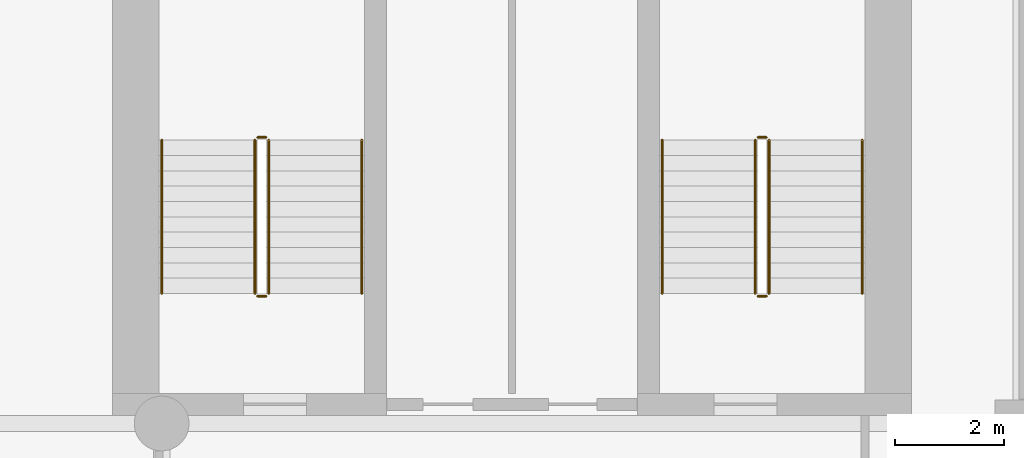
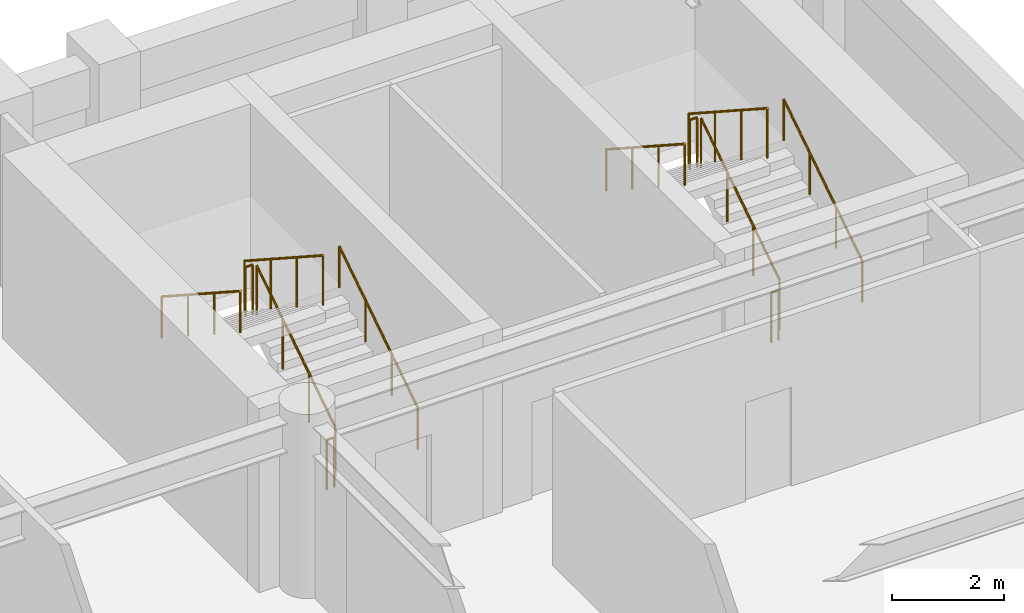
# One storey, part 8 of 8: 12 railings.
"""IFC4 building model written with IfcOpenShell, lengths in metres."""

from ifc_helpers import new_model, si_unit, direction, frame, origin, origin_2d, place, context, subcontext, project, spatial, circle, extrude, material, type_object, element, save


model = new_model("IFC4")

# Units and contexts
model_context = context("Model", 3, precision=1e-05, world=origin(), true_north=direction((0.0, 1.0)))
body_context = subcontext(model_context, "Body", "Model", "MODEL_VIEW")
ifc_project = project(units=[si_unit("LENGTHUNIT", "METRE"), si_unit("AREAUNIT", "SQUARE_METRE"), si_unit("VOLUMEUNIT", "CUBIC_METRE"), si_unit("PLANEANGLEUNIT", "RADIAN"), si_unit("MASSUNIT", "GRAM", prefix="KILO")], contexts=[model_context])

# Site, building, storey
site_placement = place(None, origin())
site = spatial("IfcSite", under=ifc_project, at=site_placement, CompositionType="ELEMENT")
building_placement = place(site_placement, origin())
building = spatial("IfcBuilding", under=site, at=building_placement, Name="Sulina Concourse Tower", CompositionType="ELEMENT")
storey_placement = place(building_placement, frame((0.0, 0.0, 148.60009765625)))
storey = spatial("IfcBuildingStorey", under=building, at=storey_placement, Name="L36", CompositionType="ELEMENT", Elevation=148.60009765625)

# Railings
ifc_material_1 = material(Name="Galvanised steel railing", Category="steel")
railing_type_1 = type_object("IfcRailingType", Name="Core Stair Steel Guardrail 1150mm", PredefinedType="GUARDRAIL", material=ifc_material_1)
railing_1_placement = place(storey_placement, frame((43.554931640625, 36.375, 0.181640625)))
element("IfcRailing", 1, at=railing_1_placement, inside=storey, type_object=railing_type_1, Name="L36 ST-3 stair guard 1", PredefinedType="GUARDRAIL", context=body_context, shape_type="SweptSolid", body=[
    extrude(circle(Radius=0.02392578125, at=origin_2d()), frame((0.0, 0.0, 1.076171875), z_axis=(0.0, 0.838672427954, 0.544636170843), x_axis=(-1.0, 0.0, 0.0)), (0.0, 0.0, 1.0), 3.338623046875),
    extrude(circle(Radius=0.02099609375, at=origin_2d()), origin(), (0.0, 0.0, 1.0), 1.052001953125),
    extrude(circle(Radius=0.02099609375, at=origin_2d()), frame((0.0, 0.933349609375, 0.606201171875)), (0.0, 0.0, 1.0), 1.052001953125),
    extrude(circle(Radius=0.02099609375, at=origin_2d()), frame((0.0, 1.86669921875, 1.212158203125)), (0.0, 0.0, 1.0), 1.052001953125),
    extrude(circle(Radius=0.02099609375, at=origin_2d()), frame((0.0, 2.800048828125, 1.818359375)), (0.0, 0.0, 1.0), 1.052001953125),
])
railing_2_placement = place(storey_placement, frame((43.5048828125, 39.22509765625, 2.0)))
element("IfcRailing", 2, at=railing_2_placement, inside=storey, type_object=railing_type_1, Name="L36 ST-3 stair guard 2", PredefinedType="GUARDRAIL", context=body_context, shape_type="SweptSolid", body=[
    extrude(circle(Radius=0.02392578125, at=origin_2d()), frame((0.0, 0.0, 1.076171875), z_axis=(-1.0, 0.0, 0.0), x_axis=(0.0, -1.0, 0.0)), (0.0, 0.0, 1.0), 0.14990234375),
    extrude(circle(Radius=0.02099609375, at=origin_2d()), origin(), (0.0, 0.0, 1.0), 1.052001953125),
    extrude(circle(Radius=0.02099609375, at=origin_2d()), frame((-0.14990234375, 0.0, 0.0)), (0.0, 0.0, 1.0), 1.052001953125),
])
railing_3_placement = place(storey_placement, frame((43.304931640625, 39.175048828125, 2.181640625)))
element("IfcRailing", 3, at=railing_3_placement, inside=storey, type_object=railing_type_1, Name="L36 ST-3 stair guard 3", PredefinedType="GUARDRAIL", context=body_context, shape_type="SweptSolid", body=[
    extrude(circle(Radius=0.02392578125, at=origin_2d()), frame((0.0, 0.0, 1.076171875), z_axis=(0.0, -0.838672427954, 0.544636170843), x_axis=(1.0, 0.0, 0.0)), (0.0, 0.0, 1.0), 3.338623046875),
    extrude(circle(Radius=0.02099609375, at=origin_2d()), origin(), (0.0, 0.0, 1.0), 1.052001953125),
    extrude(circle(Radius=0.02099609375, at=origin_2d()), frame((0.0, -0.933349609375, 0.606201171875)), (0.0, 0.0, 1.0), 1.052001953125),
    extrude(circle(Radius=0.02099609375, at=origin_2d()), frame((0.0, -1.86669921875, 1.212158203125)), (0.0, 0.0, 1.0), 1.052001953125),
    extrude(circle(Radius=0.02099609375, at=origin_2d()), frame((0.0, -2.800048828125, 1.818359375)), (0.0, 0.0, 1.0), 1.052001953125),
])
railing_4_placement = place(storey_placement, frame((43.5048828125, 36.324951171875, 0.0)))
element("IfcRailing", 4, at=railing_4_placement, inside=storey, type_object=railing_type_1, Name="L36 ST-3 stair guard 4", PredefinedType="GUARDRAIL", context=body_context, shape_type="SweptSolid", body=[
    extrude(circle(Radius=0.02392578125, at=origin_2d()), frame((0.0, 0.0, 1.076171875), z_axis=(-1.0, 0.0, 0.0), x_axis=(0.0, -1.0, 0.0)), (0.0, 0.0, 1.0), 0.14990234375),
    extrude(circle(Radius=0.02099609375, at=origin_2d()), origin(), (0.0, 0.0, 1.0), 1.052001953125),
    extrude(circle(Radius=0.02099609375, at=origin_2d()), frame((-0.14990234375, 0.0, 0.0)), (0.0, 0.0, 1.0), 1.052001953125),
])
railing_5_placement = place(storey_placement, frame((52.695068359375, 36.375, 0.181640625)))
element("IfcRailing", 5, at=railing_5_placement, inside=storey, type_object=railing_type_1, Name="L36 ST-4 stair guard 1", PredefinedType="GUARDRAIL", context=body_context, shape_type="SweptSolid", body=[
    extrude(circle(Radius=0.02392578125, at=origin_2d()), frame((0.0, 0.0, 1.076171875), z_axis=(0.0, 0.838672427954, 0.544636170843), x_axis=(-1.0, 0.0, 0.0)), (0.0, 0.0, 1.0), 3.338623046875),
    extrude(circle(Radius=0.02099609375, at=origin_2d()), origin(), (0.0, 0.0, 1.0), 1.052001953125),
    extrude(circle(Radius=0.02099609375, at=origin_2d()), frame((0.0, 0.933349609375, 0.606201171875)), (0.0, 0.0, 1.0), 1.052001953125),
    extrude(circle(Radius=0.02099609375, at=origin_2d()), frame((0.0, 1.86669921875, 1.212158203125)), (0.0, 0.0, 1.0), 1.052001953125),
    extrude(circle(Radius=0.02099609375, at=origin_2d()), frame((0.0, 2.800048828125, 1.818359375)), (0.0, 0.0, 1.0), 1.052001953125),
])
railing_6_placement = place(storey_placement, frame((52.64501953125, 39.22509765625, 2.0)))
element("IfcRailing", 6, at=railing_6_placement, inside=storey, type_object=railing_type_1, Name="L36 ST-4 stair guard 2", PredefinedType="GUARDRAIL", context=body_context, shape_type="SweptSolid", body=[
    extrude(circle(Radius=0.02392578125, at=origin_2d()), frame((0.0, 0.0, 1.076171875), z_axis=(-1.0, 0.0, 0.0), x_axis=(0.0, -1.0, 0.0)), (0.0, 0.0, 1.0), 0.14990234375),
    extrude(circle(Radius=0.02099609375, at=origin_2d()), origin(), (0.0, 0.0, 1.0), 1.052001953125),
    extrude(circle(Radius=0.02099609375, at=origin_2d()), frame((-0.14990234375, 0.0, 0.0)), (0.0, 0.0, 1.0), 1.052001953125),
])
railing_7_placement = place(storey_placement, frame((52.445068359375, 39.175048828125, 2.181640625)))
element("IfcRailing", 7, at=railing_7_placement, inside=storey, type_object=railing_type_1, Name="L36 ST-4 stair guard 3", PredefinedType="GUARDRAIL", context=body_context, shape_type="SweptSolid", body=[
    extrude(circle(Radius=0.02392578125, at=origin_2d()), frame((0.0, 0.0, 1.076171875), z_axis=(0.0, -0.838672427954, 0.544636170843), x_axis=(1.0, 0.0, 0.0)), (0.0, 0.0, 1.0), 3.338623046875),
    extrude(circle(Radius=0.02099609375, at=origin_2d()), origin(), (0.0, 0.0, 1.0), 1.052001953125),
    extrude(circle(Radius=0.02099609375, at=origin_2d()), frame((0.0, -0.933349609375, 0.606201171875)), (0.0, 0.0, 1.0), 1.052001953125),
    extrude(circle(Radius=0.02099609375, at=origin_2d()), frame((0.0, -1.86669921875, 1.212158203125)), (0.0, 0.0, 1.0), 1.052001953125),
    extrude(circle(Radius=0.02099609375, at=origin_2d()), frame((0.0, -2.800048828125, 1.818359375)), (0.0, 0.0, 1.0), 1.052001953125),
])
railing_8_placement = place(storey_placement, frame((52.64501953125, 36.324951171875, 0.0)))
element("IfcRailing", 8, at=railing_8_placement, inside=storey, type_object=railing_type_1, Name="L36 ST-4 stair guard 4", PredefinedType="GUARDRAIL", context=body_context, shape_type="SweptSolid", body=[
    extrude(circle(Radius=0.02392578125, at=origin_2d()), frame((0.0, 0.0, 1.076171875), z_axis=(-1.0, 0.0, 0.0), x_axis=(0.0, -1.0, 0.0)), (0.0, 0.0, 1.0), 0.14990234375),
    extrude(circle(Radius=0.02099609375, at=origin_2d()), origin(), (0.0, 0.0, 1.0), 1.052001953125),
    extrude(circle(Radius=0.02099609375, at=origin_2d()), frame((-0.14990234375, 0.0, 0.0)), (0.0, 0.0, 1.0), 1.052001953125),
])
ifc_material_2 = material(Name="Galvanised steel railing", Category="steel")
railing_type_2 = type_object("IfcRailingType", Name="Stair Wall Steel Handrail 920mm", PredefinedType="HANDRAIL", material=ifc_material_2)
railing_9_placement = place(storey_placement, frame((45.2548828125, 36.375, 0.181640625)))
element("IfcRailing", 9, at=railing_9_placement, inside=storey, type_object=railing_type_2, Name="L36 ST-3 stair handrail 1", PredefinedType="HANDRAIL", context=body_context, shape_type="SweptSolid", body=[
    extrude(circle(Radius=0.02392578125, at=origin_2d()), frame((0.0, 0.0, 0.89599609375), z_axis=(0.0, 0.838672427954, 0.544636170843), x_axis=(-1.0, 0.0, 0.0)), (0.0, 0.0, 1.0), 3.338623046875),
    extrude(circle(Radius=0.02099609375, at=origin_2d()), origin(), (0.0, 0.0, 1.0), 0.871826171875),
    extrude(circle(Radius=0.02099609375, at=origin_2d()), frame((0.0, 0.933349609375, 0.606201171875)), (0.0, 0.0, 1.0), 0.871826171875),
    extrude(circle(Radius=0.02099609375, at=origin_2d()), frame((0.0, 1.86669921875, 1.212158203125)), (0.0, 0.0, 1.0), 0.871826171875),
    extrude(circle(Radius=0.02099609375, at=origin_2d()), frame((0.0, 2.800048828125, 1.818359375)), (0.0, 0.0, 1.0), 0.871826171875),
])
railing_10_placement = place(storey_placement, frame((41.60498046875, 39.175048828125, 2.181640625)))
element("IfcRailing", 10, at=railing_10_placement, inside=storey, type_object=railing_type_2, Name="L36 ST-3 stair handrail 2", PredefinedType="HANDRAIL", context=body_context, shape_type="SweptSolid", body=[
    extrude(circle(Radius=0.02392578125, at=origin_2d()), frame((0.0, 0.0, 0.89599609375), z_axis=(0.0, -0.838672427954, 0.544636170843), x_axis=(1.0, 0.0, 0.0)), (0.0, 0.0, 1.0), 3.338623046875),
    extrude(circle(Radius=0.02099609375, at=origin_2d()), origin(), (0.0, 0.0, 1.0), 0.871826171875),
    extrude(circle(Radius=0.02099609375, at=origin_2d()), frame((0.0, -0.933349609375, 0.606201171875)), (0.0, 0.0, 1.0), 0.871826171875),
    extrude(circle(Radius=0.02099609375, at=origin_2d()), frame((0.0, -1.86669921875, 1.212158203125)), (0.0, 0.0, 1.0), 0.871826171875),
    extrude(circle(Radius=0.02099609375, at=origin_2d()), frame((0.0, -2.800048828125, 1.818359375)), (0.0, 0.0, 1.0), 0.871826171875),
])
railing_11_placement = place(storey_placement, frame((54.39501953125, 36.375, 0.181640625)))
element("IfcRailing", 11, at=railing_11_placement, inside=storey, type_object=railing_type_2, Name="L36 ST-4 stair handrail 1", PredefinedType="HANDRAIL", context=body_context, shape_type="SweptSolid", body=[
    extrude(circle(Radius=0.02392578125, at=origin_2d()), frame((0.0, 0.0, 0.89599609375), z_axis=(0.0, 0.838672427954, 0.544636170843), x_axis=(-1.0, 0.0, 0.0)), (0.0, 0.0, 1.0), 3.338623046875),
    extrude(circle(Radius=0.02099609375, at=origin_2d()), origin(), (0.0, 0.0, 1.0), 0.871826171875),
    extrude(circle(Radius=0.02099609375, at=origin_2d()), frame((0.0, 0.933349609375, 0.606201171875)), (0.0, 0.0, 1.0), 0.871826171875),
    extrude(circle(Radius=0.02099609375, at=origin_2d()), frame((0.0, 1.86669921875, 1.212158203125)), (0.0, 0.0, 1.0), 0.871826171875),
    extrude(circle(Radius=0.02099609375, at=origin_2d()), frame((0.0, 2.800048828125, 1.818359375)), (0.0, 0.0, 1.0), 0.871826171875),
])
railing_12_placement = place(storey_placement, frame((50.7451171875, 39.175048828125, 2.181640625)))
element("IfcRailing", 12, at=railing_12_placement, inside=storey, type_object=railing_type_2, Name="L36 ST-4 stair handrail 2", PredefinedType="HANDRAIL", context=body_context, shape_type="SweptSolid", body=[
    extrude(circle(Radius=0.02392578125, at=origin_2d()), frame((0.0, 0.0, 0.89599609375), z_axis=(0.0, -0.838672427954, 0.544636170843), x_axis=(1.0, 0.0, 0.0)), (0.0, 0.0, 1.0), 3.338623046875),
    extrude(circle(Radius=0.02099609375, at=origin_2d()), origin(), (0.0, 0.0, 1.0), 0.871826171875),
    extrude(circle(Radius=0.02099609375, at=origin_2d()), frame((0.0, -0.933349609375, 0.606201171875)), (0.0, 0.0, 1.0), 0.871826171875),
    extrude(circle(Radius=0.02099609375, at=origin_2d()), frame((0.0, -1.86669921875, 1.212158203125)), (0.0, 0.0, 1.0), 0.871826171875),
    extrude(circle(Radius=0.02099609375, at=origin_2d()), frame((0.0, -2.800048828125, 1.818359375)), (0.0, 0.0, 1.0), 0.871826171875),
])

save(model, "model.ifc")
